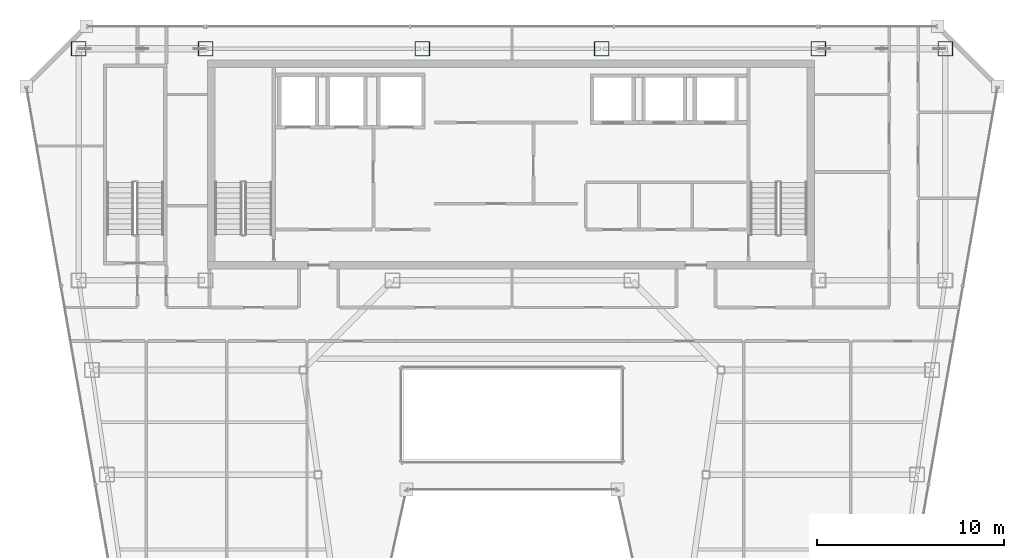
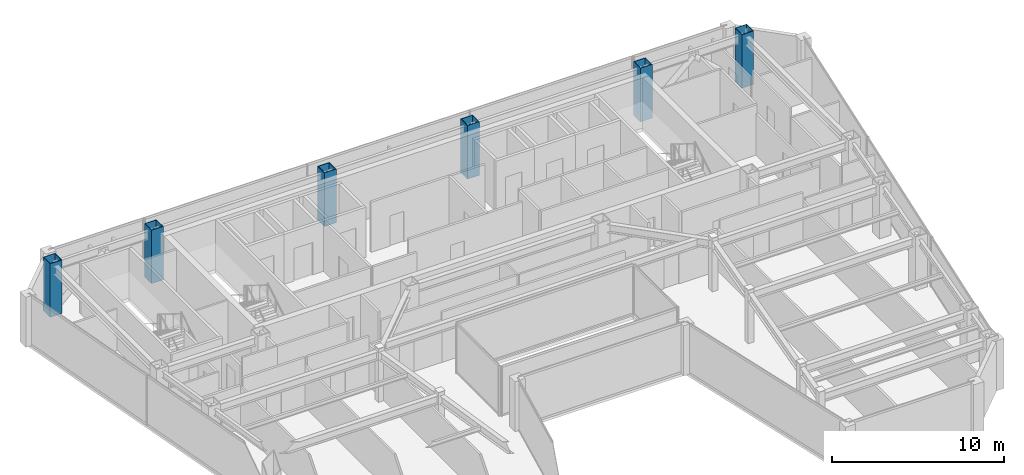
# One storey, part 2 of 33: 6 columns.
"""IFC4 building model written with IfcOpenShell, lengths in metres."""

from ifc_helpers import new_model, si_unit, direction, frame, origin, origin_2d, place, context, subcontext, project, spatial, hollow_rectangle, extrude, material, material_profile, profile_set, type_object, element, save


model = new_model("IFC4")

# Units and contexts
model_context = context("Model", 3, precision=1e-05, world=origin(), true_north=direction((0.0, 1.0)))
body_context = subcontext(model_context, "Body", "Model", "MODEL_VIEW")
ifc_project = project(units=[si_unit("LENGTHUNIT", "METRE"), si_unit("AREAUNIT", "SQUARE_METRE"), si_unit("VOLUMEUNIT", "CUBIC_METRE"), si_unit("PLANEANGLEUNIT", "RADIAN"), si_unit("MASSUNIT", "GRAM", prefix="KILO")], contexts=[model_context])

# Site, building, storey
site_placement = place(None, origin())
site = spatial("IfcSite", under=ifc_project, at=site_placement, CompositionType="ELEMENT")
building_placement = place(site_placement, origin())
building = spatial("IfcBuilding", under=site, at=building_placement, Name="Saevonmaru Cultural Tower", CompositionType="ELEMENT")
storey_placement = place(building_placement, frame((0.0, 0.0, 234.39990234375)))
storey = spatial("IfcBuildingStorey", under=building, at=storey_placement, Name="L54", CompositionType="ELEMENT", Elevation=234.39990234375)

# Columns
ifc_material = material(Name="Steel SM420", Category="steel")
ifc_material_profile = material_profile(ifc_material, hollow_rectangle(XDim=0.800048828125, YDim=0.800048828125, WallThickness=0.035888671875, at=origin_2d()), Name="BOX-800x800x36")
ifc_profile_set = profile_set([ifc_material_profile], Name="Steel SM420")
column_type = type_object("IfcColumnType", Name="COL-BOX-800", PredefinedType="COLUMN", material=ifc_profile_set)
for number, where, z_axis, x_axis, name in (
    (1, (6.800048828125, 54.800048828125, 0.0), (0.0, 0.0, 1.0), (1.0, 0.0, 0.0), "L54 Column TC-N1N"),
    (2, (13.60009765625, 54.800048828125, 0.0), (0.0, 0.0, 1.0), (1.0, 0.0, 0.0), "L54 Column TC-N2N"),
    (3, (25.199951171875, 54.800048828125, 0.0), (0.0, 0.0, 1.0), (1.0, 0.0, 0.0), "L54 Column TC-N3N"),
    (4, (34.800048828125, 54.800048828125, 0.0), (0.0, 0.0, 1.0), (1.0, 0.0, 0.0), "L54 Column TC-N4N"),
    (5, (46.39990234375, 54.800048828125, 0.0), (0.0, 0.0, 1.0), (1.0, 0.0, 0.0), "L54 Column TC-N5N"),
    (6, (53.199951171875, 54.800048828125, 0.0), (0.0, 0.0, 1.0), (1.0, 0.0, 0.0), "L54 Column TC-N6N"),
):
    element("IfcColumn", number, at=place(storey_placement, frame(where, z_axis=z_axis, x_axis=x_axis)), inside=storey, type_object=column_type, Name=name, PredefinedType="COLUMN", context=body_context, shape_type="SweptSolid", body=[
        extrude(hollow_rectangle(XDim=0.800048828125, YDim=0.800048828125, WallThickness=0.035888671875, at=origin_2d()), origin(), (0.0, 0.0, 1.0), 3.800048828125),
    ])

save(model, "model.ifc")
